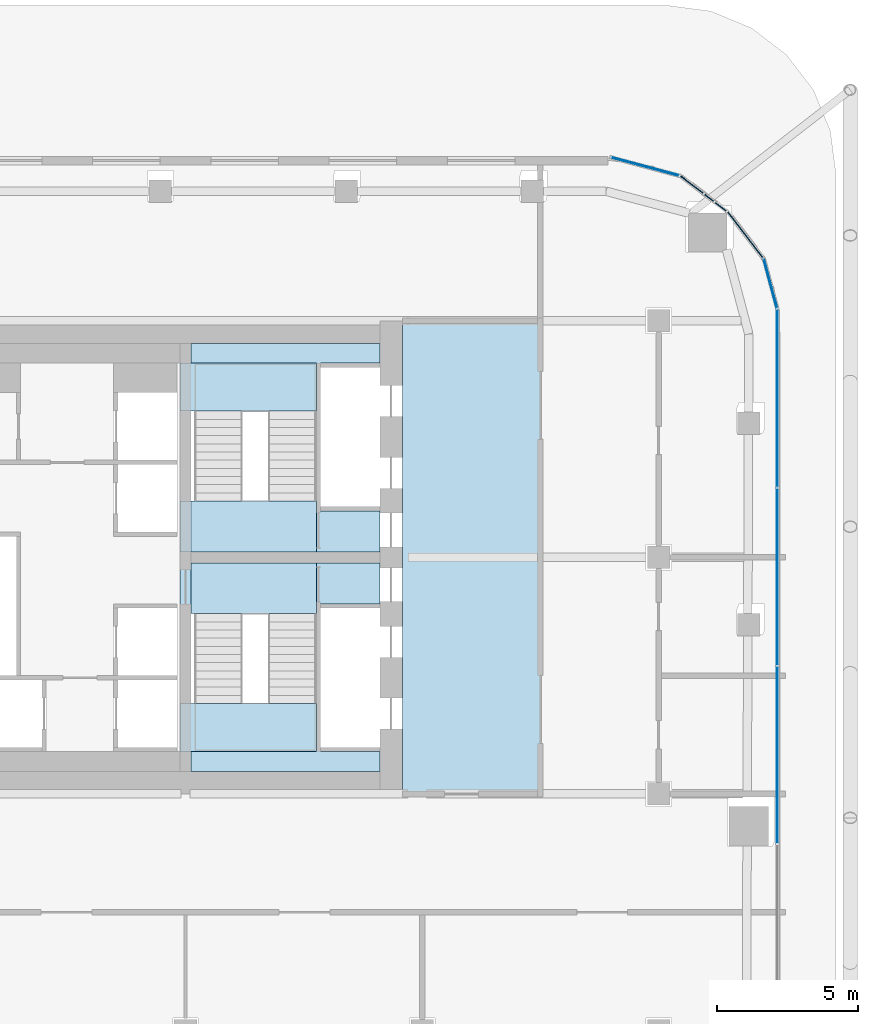
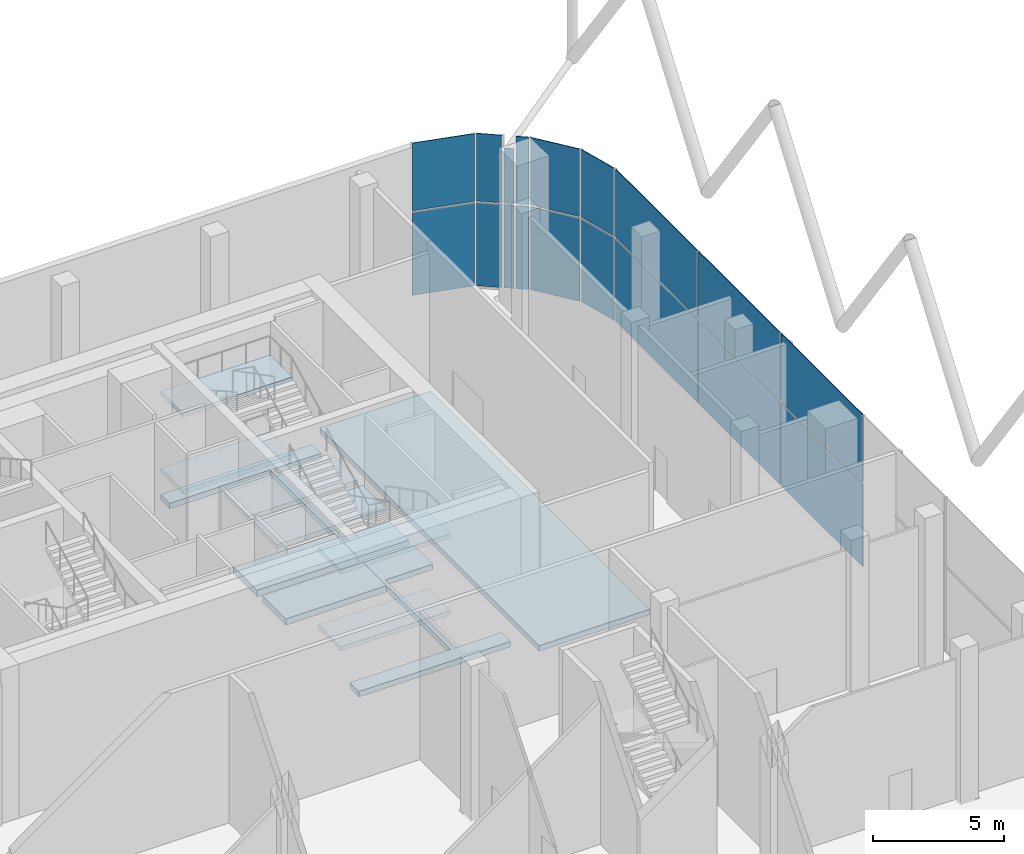
# One storey, part 18 of 25: 18 plates, 11 slabs, 9 elements without a shape of their own.
"""IFC4 building model written with IfcOpenShell, lengths in metres."""

from ifc_helpers import new_model, si_unit, direction, frame, origin, origin_2d, place, context, subcontext, project, spatial, polyline, rectangle, outline, extrude, material, layer, layer_set, type_object, element, aggregate, save


model = new_model("IFC4")

# Units and contexts
model_context = context("Model", 3, precision=1e-05, world=origin(), true_north=direction((0.0, 1.0)))
body_context = subcontext(model_context, "Body", "Model", "MODEL_VIEW")
ifc_project = project(units=[si_unit("LENGTHUNIT", "METRE"), si_unit("AREAUNIT", "SQUARE_METRE"), si_unit("VOLUMEUNIT", "CUBIC_METRE"), si_unit("PLANEANGLEUNIT", "RADIAN"), si_unit("MASSUNIT", "GRAM", prefix="KILO")], contexts=[model_context])

# Site, building, storey
site_placement = place(None, origin())
site = spatial("IfcSite", under=ifc_project, at=site_placement, CompositionType="ELEMENT")
building_placement = place(site_placement, origin())
building = spatial("IfcBuilding", under=site, at=building_placement, Name="Marenta Gate Hotel Tower", CompositionType="ELEMENT")
storey_placement = place(building_placement, frame((0.0, 0.0, 180.5)))
storey = spatial("IfcBuildingStorey", under=building, at=storey_placement, Name="L41", CompositionType="ELEMENT", Elevation=180.5)

# Slabs
ifc_material_1 = material(Name="Concrete C40", Category="concrete")
ifc_layer_1 = layer(ifc_material_1, 0.260009765625)
ifc_layer_set_1 = layer_set([ifc_layer_1], Name="Concrete C40")
slab_type_1 = type_object("IfcSlabType", Name="Core floor slab 260", PredefinedType="FLOOR", material=ifc_layer_set_1)
slab_1_placement = place(storey_placement, frame((0.0, 0.0, -0.260009765625)))
element("IfcSlab", 1, at=slab_1_placement, inside=storey, type_object=slab_type_1, Name="L41-CF-1", PredefinedType="FLOOR", context=body_context, shape_type="SweptSolid", body=[
    extrude(outline(polyline([(11.89990234375, 0.0), (11.89990234375, 16.800048828125), (16.800048828125, 16.800048828125), (16.800048828125, 0.0), (11.89990234375, 0.0)])), origin(), (0.0, 0.0, 1.0), 0.260009765625),
])
slab_2_placement = place(storey_placement, frame((0.0, 0.0, -0.260009765625)))
element("IfcSlab", 2, at=slab_2_placement, inside=storey, type_object=slab_type_1, Name="L41-CF-2", PredefinedType="FLOOR", context=body_context, shape_type="SweptSolid", body=[
    extrude(outline(polyline([(8.85009765625, 1.5), (8.85009765625, 6.39990234375), (8.85009765625, 8.10009765625), (8.85009765625, 8.199951171875), (11.10009765625, 8.199951171875), (11.10009765625, 6.75), (9.0, 6.75), (9.0, 6.60009765625), (9.0, 4.199951171875), (9.0, 4.050048828125), (9.0, 1.64990234375), (9.0, 1.5), (11.10009765625, 1.5), (11.10009765625, 0.800048828125), (4.39990234375, 0.800048828125), (4.39990234375, 1.5), (8.85009765625, 1.5)])), origin(), (0.0, 0.0, 1.0), 0.260009765625),
])
slab_3_placement = place(storey_placement, frame((0.0, 0.0, -0.260009765625)))
element("IfcSlab", 3, at=slab_3_placement, inside=storey, type_object=slab_type_1, Name="L41-CF-3", PredefinedType="FLOOR", context=body_context, shape_type="SweptSolid", body=[
    extrude(outline(polyline([(8.85009765625, 15.300048828125), (4.39990234375, 15.300048828125), (4.39990234375, 16.0), (11.10009765625, 16.0), (11.10009765625, 15.300048828125), (9.0, 15.300048828125), (9.0, 15.14990234375), (9.0, 12.75), (9.0, 12.60009765625), (9.0, 10.199951171875), (9.0, 10.050048828125), (11.10009765625, 10.050048828125), (11.10009765625, 8.60009765625), (8.85009765625, 8.60009765625), (8.85009765625, 8.699951171875), (8.85009765625, 10.39990234375), (8.85009765625, 15.300048828125)])), origin(), (0.0, 0.0, 1.0), 0.260009765625),
])

# Stair, slabs
ifc_material_2 = material(Name="Concrete C40", Category="concrete")
stair_type = type_object("IfcStairType", Name="Core exit stair 1700 wide", PredefinedType="HALF_TURN_STAIR", material=ifc_material_2)
stair_1_placement = place(storey_placement, origin())
stair_1 = element("IfcStair", 4, at=stair_1_placement, inside=storey, type_object=stair_type, Name="Exit stair 3", PredefinedType="HALF_TURN_STAIR")
ifc_material_3 = material(Name="Concrete C40", Category="concrete")
ifc_layer_2 = layer(ifc_material_3, 0.199951171875)
ifc_layer_set_2 = layer_set([ifc_layer_2], Name="Concrete C40")
slab_type_2 = type_object("IfcSlabType", Name="Core stair landing 200", PredefinedType="LANDING", material=ifc_layer_set_2)
slab_4_placement = place(storey_placement, frame((0.0, 0.0, 1.60009765625)))
slab_4 = element("IfcSlab", 5, at=slab_4_placement, type_object=slab_type_2, Name="SL-200 ST3 landing 1", PredefinedType="LANDING", context=body_context, shape_type="SweptSolid", body=[
    extrude(outline(polyline([(4.0, 1.5), (8.85009765625, 1.5), (8.85009765625, 3.2099609375), (4.0, 3.2099609375), (4.0, 1.5)])), origin(), (0.0, 0.0, 1.0), 0.199951171875),
])
slab_5_placement = place(storey_placement, frame((0.0, 0.0, 3.39990234375)))
slab_5 = element("IfcSlab", 6, at=slab_5_placement, type_object=slab_type_2, Name="SL-200 ST3 landing 2", PredefinedType="LANDING", context=body_context, shape_type="SweptSolid", body=[
    extrude(outline(polyline([(4.0, 6.39990234375), (8.85009765625, 6.39990234375), (8.85009765625, 8.199951171875), (4.0, 8.199951171875), (4.0, 6.39990234375)])), origin(), (0.0, 0.0, 1.0), 0.2001953125),
])
slab_6_placement = place(storey_placement, frame((0.0, 0.0, 5.199951171875)))
slab_6 = element("IfcSlab", 7, at=slab_6_placement, type_object=slab_type_2, Name="SL-200 ST3 landing 3", PredefinedType="LANDING", context=body_context, shape_type="SweptSolid", body=[
    extrude(outline(polyline([(4.0, 1.5), (8.85009765625, 1.5), (8.85009765625, 3.2099609375), (4.0, 3.2099609375), (4.0, 1.5)])), origin(), (0.0, 0.0, 1.0), 0.199951171875),
])
aggregate(stair_1, [slab_4, slab_5, slab_6])

stair_2_placement = place(storey_placement, origin())
stair_2 = element("IfcStair", 8, at=stair_2_placement, inside=storey, type_object=stair_type, Name="Exit stair 4", PredefinedType="HALF_TURN_STAIR")
slab_7_placement = place(storey_placement, frame((0.0, 0.0, 1.60009765625)))
slab_7 = element("IfcSlab", 9, at=slab_7_placement, type_object=slab_type_2, Name="SL-200 ST4 landing 1", PredefinedType="LANDING", context=body_context, shape_type="SweptSolid", body=[
    extrude(outline(polyline([(4.0, 13.590087890625), (8.85009765625, 13.590087890625), (8.85009765625, 15.300048828125), (4.0, 15.300048828125), (4.0, 13.590087890625)])), origin(), (0.0, 0.0, 1.0), 0.199951171875),
])
slab_8_placement = place(storey_placement, frame((0.0, 0.0, 3.39990234375)))
slab_8 = element("IfcSlab", 10, at=slab_8_placement, type_object=slab_type_2, Name="SL-200 ST4 landing 2", PredefinedType="LANDING", context=body_context, shape_type="SweptSolid", body=[
    extrude(outline(polyline([(4.0, 8.60009765625), (8.85009765625, 8.60009765625), (8.85009765625, 10.39990234375), (4.0, 10.39990234375), (4.0, 8.60009765625)])), origin(), (0.0, 0.0, 1.0), 0.2001953125),
])
slab_9_placement = place(storey_placement, frame((0.0, 0.0, 5.199951171875)))
slab_9 = element("IfcSlab", 11, at=slab_9_placement, type_object=slab_type_2, Name="SL-200 ST4 landing 3", PredefinedType="LANDING", context=body_context, shape_type="SweptSolid", body=[
    extrude(outline(polyline([(4.0, 13.590087890625), (8.85009765625, 13.590087890625), (8.85009765625, 15.300048828125), (4.0, 15.300048828125), (4.0, 13.590087890625)])), origin(), (0.0, 0.0, 1.0), 0.199951171875),
])
aggregate(stair_2, [slab_7, slab_8, slab_9])

# Curtain wall, plates
ifc_material_4 = material(Name="Tinted insulated glass in bronze anodised frame", Category="glass")
ifc_layer_3 = layer(ifc_material_4, 0.1298828125)
ifc_layer_set_3 = layer_set([ifc_layer_3], Name="Tinted insulated glass in bronze anodised frame")
curtain_wall_type = type_object("IfcCurtainWallType", Name="Sky lobby glazing CW2", PredefinedType="NOTDEFINED", material=ifc_layer_set_3)
curtain_wall_1_placement = place(storey_placement, origin())
curtain_wall_1 = element("IfcCurtainWall", 12, at=curtain_wall_1_placement, inside=storey, type_object=curtain_wall_type, Name="CW2 run G19", PredefinedType="NOTDEFINED")
ifc_material_5 = material(Name="Tinted insulated glass", Category="glass")
ifc_layer_4 = layer(ifc_material_5, 0.033935546875)
ifc_layer_set_4 = layer_set([ifc_layer_4], Name="Tinted insulated glass")
plate_type = type_object("IfcPlateType", Name="Glass panel CW2 34 mm tinted insulated unit", PredefinedType="CURTAIN_PANEL", material=ifc_layer_set_4)
plate_1_placement = place(storey_placement, frame((25.218994140625, 1.385498046875, 0.080078125), z_axis=(0.0, 0.0, 1.0), x_axis=(0.0, 1.0, 0.0)))
plate_1 = element("IfcPlate", 13, at=plate_1_placement, type_object=plate_type, Name="CW2 panel 4.1", PredefinedType="CURTAIN_PANEL", context=body_context, shape_type="SweptSolid", body=[
    extrude(rectangle(XDim=6.242919921875, YDim=0.033935546875, at=origin_2d()), origin(), (0.0, 0.0, 1.0), 3.8798828125),
])
plate_2_placement = place(storey_placement, frame((25.218994140625, 1.385498046875, 4.0400390625), z_axis=(0.0, 0.0, 1.0), x_axis=(0.0, 1.0, 0.0)))
plate_2 = element("IfcPlate", 14, at=plate_2_placement, type_object=plate_type, Name="CW2 panel 4.2", PredefinedType="CURTAIN_PANEL", context=body_context, shape_type="SweptSolid", body=[
    extrude(rectangle(XDim=6.242919921875, YDim=0.033935546875, at=origin_2d()), origin(), (0.0, 0.0, 1.0), 3.159912109375),
])
plate_3_placement = place(storey_placement, frame((25.218994140625, 7.708251953125, 0.080078125), z_axis=(0.0, 0.0, 1.0), x_axis=(0.0, 1.0, 0.0)))
plate_3 = element("IfcPlate", 15, at=plate_3_placement, type_object=plate_type, Name="CW2 panel 5.1", PredefinedType="CURTAIN_PANEL", context=body_context, shape_type="SweptSolid", body=[
    extrude(rectangle(XDim=6.242919921875, YDim=0.033935546875, at=origin_2d()), origin(), (0.0, 0.0, 1.0), 3.8798828125),
])
plate_4_placement = place(storey_placement, frame((25.218994140625, 7.708251953125, 4.0400390625), z_axis=(0.0, 0.0, 1.0), x_axis=(0.0, 1.0, 0.0)))
plate_4 = element("IfcPlate", 16, at=plate_4_placement, type_object=plate_type, Name="CW2 panel 5.2", PredefinedType="CURTAIN_PANEL", context=body_context, shape_type="SweptSolid", body=[
    extrude(rectangle(XDim=6.242919921875, YDim=0.033935546875, at=origin_2d()), origin(), (0.0, 0.0, 1.0), 3.159912109375),
])
plate_5_placement = place(storey_placement, frame((25.218994140625, 14.051025390625, 0.080078125), z_axis=(0.0, 0.0, 1.0), x_axis=(0.0, 1.0, 0.0)))
plate_5 = element("IfcPlate", 17, at=plate_5_placement, type_object=plate_type, Name="CW2 panel 6.1", PredefinedType="CURTAIN_PANEL", context=body_context, shape_type="SweptSolid", body=[
    extrude(rectangle(XDim=6.28271484375, YDim=0.033935546875, at=origin_2d()), origin(), (0.0, 0.0, 1.0), 3.8798828125),
])
plate_6_placement = place(storey_placement, frame((25.218994140625, 14.051025390625, 4.0400390625), z_axis=(0.0, 0.0, 1.0), x_axis=(0.0, 1.0, 0.0)))
plate_6 = element("IfcPlate", 18, at=plate_6_placement, type_object=plate_type, Name="CW2 panel 6.2", PredefinedType="CURTAIN_PANEL", context=body_context, shape_type="SweptSolid", body=[
    extrude(rectangle(XDim=6.28271484375, YDim=0.033935546875, at=origin_2d()), origin(), (0.0, 0.0, 1.0), 3.159912109375),
])
aggregate(curtain_wall_1, [plate_1, plate_2, plate_3, plate_4, plate_5, plate_6])

curtain_wall_2_placement = place(storey_placement, origin())
curtain_wall_2 = element("IfcCurtainWall", 19, at=curtain_wall_2_placement, inside=storey, type_object=curtain_wall_type, Name="CW2 run G20", PredefinedType="NOTDEFINED")
plate_7_placement = place(storey_placement, frame((24.968505859375, 18.127197265625, 0.080078125), z_axis=(0.0, 0.0, 1.0), x_axis=(-0.258796247805, 0.965931934518, 0.0)))
plate_7 = element("IfcPlate", 20, at=plate_7_placement, type_object=plate_type, Name="CW2 panel 1.1", PredefinedType="CURTAIN_PANEL", context=body_context, shape_type="SweptSolid", body=[
    extrude(rectangle(XDim=1.775390625, YDim=0.033935546875, at=origin_2d()), origin(), (0.0, 0.0, 1.0), 3.8798828125),
])
plate_8_placement = place(storey_placement, frame((24.968505859375, 18.127197265625, 4.0400390625), z_axis=(0.0, 0.0, 1.0), x_axis=(-0.258796247805, 0.965931934518, 0.0)))
plate_8 = element("IfcPlate", 21, at=plate_8_placement, type_object=plate_type, Name="CW2 panel 1.2", PredefinedType="CURTAIN_PANEL", context=body_context, shape_type="SweptSolid", body=[
    extrude(rectangle(XDim=1.775390625, YDim=0.033935546875, at=origin_2d()), origin(), (0.0, 0.0, 1.0), 3.159912109375),
])
aggregate(curtain_wall_2, [plate_7, plate_8])

curtain_wall_3_placement = place(storey_placement, origin())
curtain_wall_3 = element("IfcCurtainWall", 22, at=curtain_wall_3_placement, inside=storey, type_object=curtain_wall_type, Name="CW2 run G21", PredefinedType="NOTDEFINED")
plate_9_placement = place(storey_placement, frame((24.072998046875, 19.852294921875, 0.080078125), z_axis=(0.0, 0.0, 1.0), x_axis=(-0.608788218287, 0.793332783437, 0.0)))
plate_9 = element("IfcPlate", 23, at=plate_9_placement, type_object=plate_type, Name="CW2 panel 1.1", PredefinedType="CURTAIN_PANEL", context=body_context, shape_type="SweptSolid", body=[
    extrude(rectangle(XDim=2.02685546875, YDim=0.033935546875, at=origin_2d()), origin(), (0.0, 0.0, 1.0), 3.8798828125),
])
plate_10_placement = place(storey_placement, frame((24.072998046875, 19.852294921875, 4.0400390625), z_axis=(0.0, 0.0, 1.0), x_axis=(-0.608788218287, 0.793332783437, 0.0)))
plate_10 = element("IfcPlate", 24, at=plate_10_placement, type_object=plate_type, Name="CW2 panel 1.2", PredefinedType="CURTAIN_PANEL", context=body_context, shape_type="SweptSolid", body=[
    extrude(rectangle(XDim=2.02685546875, YDim=0.033935546875, at=origin_2d()), origin(), (0.0, 0.0, 1.0), 3.159912109375),
])
aggregate(curtain_wall_3, [plate_9, plate_10])

curtain_wall_4_placement = place(storey_placement, origin())
curtain_wall_4 = element("IfcCurtainWall", 25, at=curtain_wall_4_placement, inside=storey, type_object=curtain_wall_type, Name="CW2 run G22", PredefinedType="NOTDEFINED")
plate_11_placement = place(storey_placement, frame((23.20068359375, 20.852294921875, 0.080078125), z_axis=(0.0, 0.0, 1.0), x_axis=(-0.793361062728, 0.608751364801, 0.0)))
plate_11 = element("IfcPlate", 26, at=plate_11_placement, type_object=plate_type, Name="CW2 panel 1.1", PredefinedType="CURTAIN_PANEL", context=body_context, shape_type="SweptSolid", body=[
    extrude(rectangle(XDim=0.484375, YDim=0.033935546875, at=origin_2d()), origin(), (0.0, 0.0, 1.0), 3.8798828125),
])
plate_12_placement = place(storey_placement, frame((23.20068359375, 20.852294921875, 4.0400390625), z_axis=(0.0, 0.0, 1.0), x_axis=(-0.793361062728, 0.608751364801, 0.0)))
plate_12 = element("IfcPlate", 27, at=plate_12_placement, type_object=plate_type, Name="CW2 panel 1.2", PredefinedType="CURTAIN_PANEL", context=body_context, shape_type="SweptSolid", body=[
    extrude(rectangle(XDim=0.484375, YDim=0.033935546875, at=origin_2d()), origin(), (0.0, 0.0, 1.0), 3.159912109375),
])
aggregate(curtain_wall_4, [plate_11, plate_12])

curtain_wall_5_placement = place(storey_placement, origin())
curtain_wall_5 = element("IfcCurtainWall", 28, at=curtain_wall_5_placement, inside=storey, type_object=curtain_wall_type, Name="CW2 run G23", PredefinedType="NOTDEFINED")
plate_13_placement = place(storey_placement, frame((22.791015625, 21.166748046875, 0.080078125), z_axis=(0.0, 0.0, 1.0), x_axis=(-0.793290143052, 0.608843780404, 0.0)))
plate_13 = element("IfcPlate", 29, at=plate_13_placement, type_object=plate_type, Name="CW2 panel 1.1", PredefinedType="CURTAIN_PANEL", context=body_context, shape_type="SweptSolid", body=[
    extrude(rectangle(XDim=0.388427734375, YDim=0.033935546875, at=origin_2d()), origin(), (0.0, 0.0, 1.0), 3.8798828125),
])
plate_14_placement = place(storey_placement, frame((22.791015625, 21.166748046875, 4.0400390625), z_axis=(0.0, 0.0, 1.0), x_axis=(-0.793290143052, 0.608843780404, 0.0)))
plate_14 = element("IfcPlate", 30, at=plate_14_placement, type_object=plate_type, Name="CW2 panel 1.2", PredefinedType="CURTAIN_PANEL", context=body_context, shape_type="SweptSolid", body=[
    extrude(rectangle(XDim=0.388427734375, YDim=0.033935546875, at=origin_2d()), origin(), (0.0, 0.0, 1.0), 2.560546875),
])
aggregate(curtain_wall_5, [plate_13, plate_14])

curtain_wall_6_placement = place(storey_placement, origin())
curtain_wall_6 = element("IfcCurtainWall", 31, at=curtain_wall_6_placement, inside=storey, type_object=curtain_wall_type, Name="CW2 run G24", PredefinedType="NOTDEFINED")
plate_15_placement = place(storey_placement, frame((22.17919921875, 21.63623046875, 0.080078125), z_axis=(0.0, 0.0, 1.0), x_axis=(-0.793336518065, 0.608783351533, 0.0)))
plate_15 = element("IfcPlate", 32, at=plate_15_placement, type_object=plate_type, Name="CW2 panel 1.1", PredefinedType="CURTAIN_PANEL", context=body_context, shape_type="SweptSolid", body=[
    extrude(rectangle(XDim=0.993896484375, YDim=0.033935546875, at=origin_2d()), origin(), (0.0, 0.0, 1.0), 3.8798828125),
])
plate_16_placement = place(storey_placement, frame((22.17919921875, 21.63623046875, 4.0400390625), z_axis=(0.0, 0.0, 1.0), x_axis=(-0.793336518065, 0.608783351533, 0.0)))
plate_16 = element("IfcPlate", 33, at=plate_16_placement, type_object=plate_type, Name="CW2 panel 1.2", PredefinedType="CURTAIN_PANEL", context=body_context, shape_type="SweptSolid", body=[
    extrude(rectangle(XDim=0.993896484375, YDim=0.033935546875, at=origin_2d()), origin(), (0.0, 0.0, 1.0), 3.159912109375),
])
aggregate(curtain_wall_6, [plate_15, plate_16])

curtain_wall_7_placement = place(storey_placement, origin())
curtain_wall_7 = element("IfcCurtainWall", 34, at=curtain_wall_7_placement, inside=storey, type_object=curtain_wall_type, Name="CW2 run G25", PredefinedType="NOTDEFINED")
plate_17_placement = place(storey_placement, frame((20.521240234375, 22.27734375, 0.080078125), z_axis=(0.0, 0.0, 1.0), x_axis=(-0.965936108835, 0.258780667069, 0.0)))
plate_17 = element("IfcPlate", 35, at=plate_17_placement, type_object=plate_type, Name="CW2 panel 1.1", PredefinedType="CURTAIN_PANEL", context=body_context, shape_type="SweptSolid", body=[
    extrude(rectangle(XDim=2.4560546875, YDim=0.033935546875, at=origin_2d()), origin(), (0.0, 0.0, 1.0), 3.8798828125),
])
plate_18_placement = place(storey_placement, frame((20.521240234375, 22.27734375, 4.0400390625), z_axis=(0.0, 0.0, 1.0), x_axis=(-0.965936108835, 0.258780667069, 0.0)))
plate_18 = element("IfcPlate", 36, at=plate_18_placement, type_object=plate_type, Name="CW2 panel 1.2", PredefinedType="CURTAIN_PANEL", context=body_context, shape_type="SweptSolid", body=[
    extrude(rectangle(XDim=2.4560546875, YDim=0.033935546875, at=origin_2d()), origin(), (0.0, 0.0, 1.0), 3.159912109375),
])
aggregate(curtain_wall_7, [plate_17, plate_18])

# Slabs
ifc_material_6 = material(Name="Concrete C40", Category="concrete")
ifc_layer_5 = layer(ifc_material_6, 0.300048828125)
ifc_layer_set_5 = layer_set([ifc_layer_5], Name="Concrete C40")
slab_type_3 = type_object("IfcSlabType", Name="Stair floor landing slab 300", PredefinedType="FLOOR", material=ifc_layer_set_5)
slab_10_placement = place(storey_placement, frame((0.0, 0.0, -0.300048828125)))
element("IfcSlab", 37, at=slab_10_placement, inside=storey, type_object=slab_type_3, Name="L41-CL-ST3-1", PredefinedType="FLOOR", context=body_context, shape_type="SweptSolid", body=[
    extrude(outline(polyline([(4.39990234375, 6.39990234375), (4.39990234375, 8.199951171875), (8.85009765625, 8.199951171875), (8.85009765625, 8.10009765625), (8.85009765625, 6.39990234375), (4.39990234375, 6.39990234375)])), origin(), (0.0, 0.0, 1.0), 0.300048828125),
])
slab_11_placement = place(storey_placement, frame((0.0, 0.0, -0.300048828125)))
element("IfcSlab", 38, at=slab_11_placement, inside=storey, type_object=slab_type_3, Name="L41-CL-ST4-1", PredefinedType="FLOOR", context=body_context, shape_type="SweptSolid", body=[
    extrude(outline(polyline([(4.39990234375, 8.60009765625), (4.39990234375, 10.39990234375), (8.85009765625, 10.39990234375), (8.85009765625, 8.699951171875), (8.85009765625, 8.60009765625), (4.39990234375, 8.60009765625)])), origin(), (0.0, 0.0, 1.0), 0.300048828125),
])

save(model, "model.ifc")
